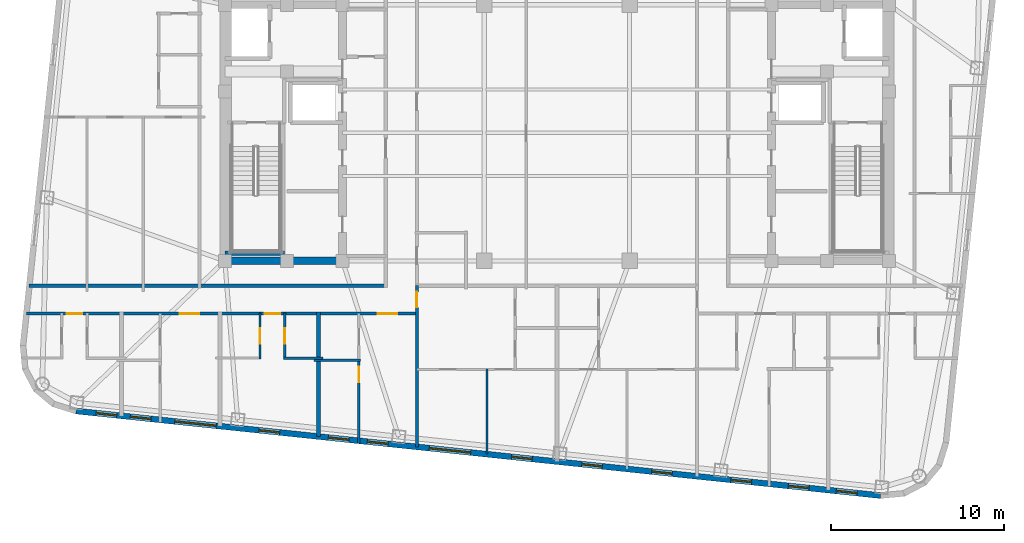
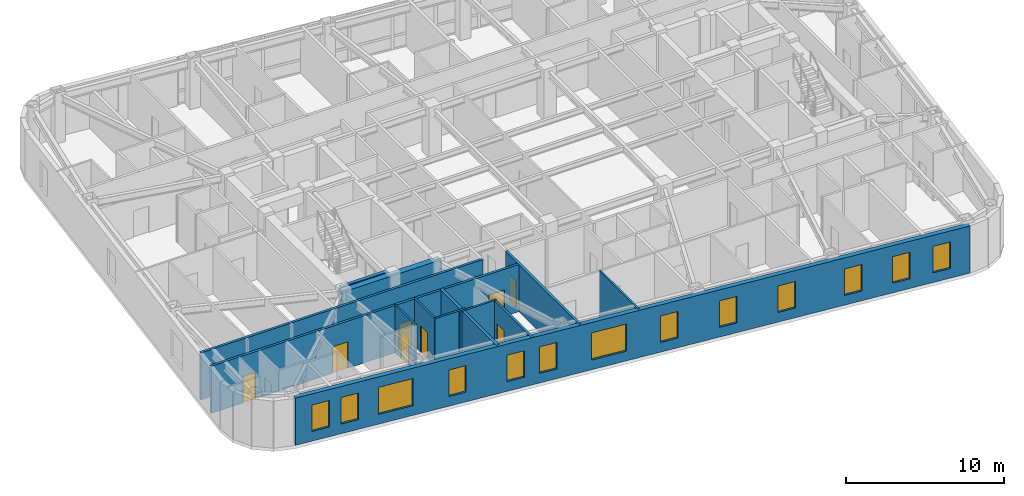
# One storey, part 8 of 15: 13 walls, 13 windows, 8 doors, 21 openings.
"""IFC4 building model written with IfcOpenShell, lengths in metres."""

from ifc_helpers import new_model, si_unit, direction, frame, frame_2d, origin, place, context, subcontext, project, spatial, rectangle, extrude, material, layer, layer_set, type_object, element, fill, save


model = new_model("IFC4")

# Units and contexts
model_context = context("Model", 3, precision=1e-05, world=origin(), true_north=direction((0.0, 1.0)))
body_context = subcontext(model_context, "Body", "Model", "MODEL_VIEW")
ifc_project = project(units=[si_unit("LENGTHUNIT", "METRE"), si_unit("AREAUNIT", "SQUARE_METRE"), si_unit("VOLUMEUNIT", "CUBIC_METRE"), si_unit("PLANEANGLEUNIT", "RADIAN"), si_unit("MASSUNIT", "GRAM", prefix="KILO")], contexts=[model_context])

# Site, building, storey
site_placement = place(None, origin())
site = spatial("IfcSite", under=ifc_project, at=site_placement, CompositionType="ELEMENT")
building_placement = place(site_placement, origin())
building = spatial("IfcBuilding", under=site, at=building_placement, Name="Voryun Gate Residences", CompositionType="ELEMENT")
storey_placement = place(building_placement, frame((0.0, 0.0, 263.89990234375)))
storey = spatial("IfcBuildingStorey", under=building, at=storey_placement, Name="L65", CompositionType="ELEMENT", Elevation=263.89990234375)

# Walls
ifc_material_1 = material(Name="Concrete C50/60", Category="concrete")
ifc_layer_1 = layer(ifc_material_1, 0.449951171875, Name="CW_CORE_450")
ifc_layer_set_1 = layer_set([ifc_layer_1], Name="Concrete C50/60")
wall_type_1 = type_object("IfcWallType", Name="CW_CORE_450", PredefinedType="SHEAR", material=ifc_layer_set_1)
wall_1_placement = place(storey_placement, frame((-19.425048828125, -7.39990234375, 0.0), z_axis=(0.0, 0.0, 1.0), x_axis=(1.0, 0.0, 0.0)))
element("IfcWall", 1, at=wall_1_placement, inside=storey, type_object=wall_type_1, Name="L65 Core shear wall CW-L65-WS", PredefinedType="SHEAR", context=body_context, shape_type="SweptSolid", body=[
    extrude(rectangle(XDim=7.25, YDim=0.449951171875, at=frame_2d((3.625, 0.0))), origin(), (0.0, 0.0, 1.0), 3.650146484375),
])
ifc_material_2 = material(Name="Gypsum acoustic fireboard")
ifc_layer_2 = layer(ifc_material_2, 0.179931640625, Name="W_CORR_RATED_180")
ifc_layer_set_2 = layer_set([ifc_layer_2], Name="Gypsum acoustic fireboard")
wall_type_2 = type_object("IfcWallType", Name="W_CORR_RATED_180", PredefinedType="PARTITIONING", material=ifc_layer_set_2)
wall_2_placement = place(storey_placement, frame((-30.5068359375, -8.840087890625, 0.0), z_axis=(0.0, 0.0, 1.0), x_axis=(1.0, 0.0, 0.0)))
element("IfcWall", 2, at=wall_2_placement, inside=storey, type_object=wall_type_2, Name="Partition wall WP-L65-CWING-WS", PredefinedType="PARTITIONING", context=body_context, shape_type="SweptSolid", body=[
    extrude(rectangle(XDim=20.626953125, YDim=0.179931640625, at=frame_2d((10.3134765625, 0.0))), origin(), (0.0, 0.0, 1.0), 3.650146484375),
])

# Wall, openings, doors
wall_3_placement = place(storey_placement, frame((-30.676025390625, -10.449951171875, 0.0), z_axis=(0.0, 0.0, 1.0), x_axis=(1.0, 0.0, 0.0)))
wall_3 = element("IfcWall", 3, at=wall_3_placement, inside=storey, type_object=wall_type_2, Name="Partition wall WP-L65-SCORR-W", PredefinedType="PARTITIONING", context=body_context, shape_type="SweptSolid", body=[
    extrude(rectangle(XDim=22.595947265625, YDim=0.179931640625, at=frame_2d((11.2978515625, 0.0))), origin(), (0.0, 0.0, 1.0), 3.650146484375),
])
opening_1_placement = place(wall_3_placement, frame((2.336181640625, 0.0, 0.0)))
opening_1 = element("IfcOpeningElement", 4, at=opening_1_placement, cuts=wall_3, Name="Opening D-INT-2", PredefinedType="OPENING", context=body_context, shape_type="SweptSolid", body=[
    extrude(rectangle(XDim=0.89990234375, YDim=2.050048828125, at=frame_2d((0.449951171875, 1.02490234375))), frame((0.0, 0.099853515625, 0.0), z_axis=(0.0, -1.0, 0.0), x_axis=(1.0, 0.0, 0.0)), (0.0, 0.0, 1.0), 0.199951171875),
])
opening_2_placement = place(wall_3_placement, frame((8.861083984375, 0.0, 0.0)))
opening_2 = element("IfcOpeningElement", 5, at=opening_2_placement, cuts=wall_3, Name="Opening D-UNIT-1", PredefinedType="OPENING", context=body_context, shape_type="SweptSolid", body=[
    extrude(rectangle(XDim=1.14990234375, YDim=2.050048828125, at=frame_2d((0.574951171875, 1.02490234375))), frame((0.0, 0.099853515625, 0.0), z_axis=(0.0, -1.0, 0.0), x_axis=(1.0, 0.0, 0.0)), (0.0, 0.0, 1.0), 0.199951171875),
])
opening_3_placement = place(wall_3_placement, frame((13.774169921875, 0.0, 0.0)))
opening_3 = element("IfcOpeningElement", 6, at=opening_3_placement, cuts=wall_3, Name="Opening D-INT-2", PredefinedType="OPENING", context=body_context, shape_type="SweptSolid", body=[
    extrude(rectangle(XDim=0.89990234375, YDim=2.050048828125, at=frame_2d((0.449951171875, 1.02490234375))), frame((0.0, 0.099853515625, 0.0), z_axis=(0.0, -1.0, 0.0), x_axis=(1.0, 0.0, 0.0)), (0.0, 0.0, 1.0), 0.199951171875),
])
opening_4_placement = place(wall_3_placement, frame((20.30615234375, 0.0, 0.0)))
opening_4 = element("IfcOpeningElement", 7, at=opening_4_placement, cuts=wall_3, Name="Opening D-UNIT-1", PredefinedType="OPENING", context=body_context, shape_type="SweptSolid", body=[
    extrude(rectangle(XDim=1.14990234375, YDim=2.050048828125, at=frame_2d((0.574951171875, 1.02490234375))), frame((0.0, 0.099853515625, 0.0), z_axis=(0.0, -1.0, 0.0), x_axis=(1.0, 0.0, 0.0)), (0.0, 0.0, 1.0), 0.199951171875),
])
ifc_material_3 = material(Name="Architectural oak veneer")
door_type_1 = type_object("IfcDoorType", Name="DR_INT_BATH_900", OperationType="NOTDEFINED", PredefinedType="DOOR", material=ifc_material_3)
door_1_placement = place(opening_1_placement, origin())
door_1 = element("IfcDoor", 8, at=door_1_placement, inside=storey, type_object=door_type_1, Name="Door DR-L65-SENT-1", OperationType="SINGLE_SWING_RIGHT", OverallHeight=2.050048828125, OverallWidth=0.89990234375, PredefinedType="DOOR", context=body_context, shape_type="SweptSolid", body=[
    extrude(rectangle(XDim=0.89990234375, YDim=2.050048828125, at=frame_2d((0.449951171875, 1.02490234375))), frame((0.0, 0.02490234375, 0.0), z_axis=(0.0, -1.0, 0.0), x_axis=(1.0, 0.0, 0.0)), (0.0, 0.0, 1.0), 0.050048828125),
])
fill(opening_1, door_1)
door_2_placement = place(opening_3_placement, origin())
door_2 = element("IfcDoor", 9, at=door_2_placement, inside=storey, type_object=door_type_1, Name="Door DR-L65-SENT-3", OperationType="SINGLE_SWING_RIGHT", OverallHeight=2.050048828125, OverallWidth=0.89990234375, PredefinedType="DOOR", context=body_context, shape_type="SweptSolid", body=[
    extrude(rectangle(XDim=0.89990234375, YDim=2.050048828125, at=frame_2d((0.449951171875, 1.02490234375))), frame((0.0, 0.02490234375, 0.0), z_axis=(0.0, -1.0, 0.0), x_axis=(1.0, 0.0, 0.0)), (0.0, 0.0, 1.0), 0.050048828125),
])
fill(opening_3, door_2)
ifc_material_4 = material(Name="Armoured timber-clad fire door", Category="wood")
door_type_2 = type_object("IfcDoorType", Name="DR_UNIT_ENTRY_1150", OperationType="NOTDEFINED", PredefinedType="DOOR", material=ifc_material_4)
door_3_placement = place(opening_2_placement, origin())
door_3 = element("IfcDoor", 10, at=door_3_placement, inside=storey, type_object=door_type_2, Name="Door DR-L65-SENT-2", OperationType="SINGLE_SWING_LEFT", OverallHeight=2.050048828125, OverallWidth=1.14990234375, PredefinedType="DOOR", context=body_context, shape_type="SweptSolid", body=[
    extrude(rectangle(XDim=1.14990234375, YDim=2.050048828125, at=frame_2d((0.574951171875, 1.02490234375))), frame((0.0, 0.02490234375, 0.0), z_axis=(0.0, -1.0, 0.0), x_axis=(1.0, 0.0, 0.0)), (0.0, 0.0, 1.0), 0.050048828125),
])
fill(opening_2, door_3)
door_4_placement = place(opening_4_placement, origin())
door_4 = element("IfcDoor", 11, at=door_4_placement, inside=storey, type_object=door_type_2, Name="Door DR-L65-SENT-4", OperationType="SINGLE_SWING_LEFT", OverallHeight=2.050048828125, OverallWidth=1.14990234375, PredefinedType="DOOR", context=body_context, shape_type="SweptSolid", body=[
    extrude(rectangle(XDim=1.14990234375, YDim=2.050048828125, at=frame_2d((0.574951171875, 1.02490234375))), frame((0.0, 0.02490234375, 0.0), z_axis=(0.0, -1.0, 0.0), x_axis=(1.0, 0.0, 0.0)), (0.0, 0.0, 1.0), 0.050048828125),
])
fill(opening_4, door_4)

# Wall, opening, door
wall_4_placement = place(storey_placement, frame((-8.10009765625, -18.154541015625, 0.0), z_axis=(0.0, 0.0, 1.0), x_axis=(0.0, 1.0, 0.0)))
wall_4 = element("IfcWall", 12, at=wall_4_placement, inside=storey, type_object=wall_type_2, Name="Partition wall WP-L65-SZV-1", PredefinedType="PARTITIONING", context=body_context, shape_type="SweptSolid", body=[
    extrude(rectangle(XDim=9.314453125, YDim=0.179931640625, at=frame_2d((4.6572265625, 0.0))), origin(), (0.0, 0.0, 1.0), 3.650146484375),
])
opening_5_placement = place(wall_4_placement, frame((8.064453125, 0.0, 0.0)))
opening_5 = element("IfcOpeningElement", 13, at=opening_5_placement, cuts=wall_4, Name="Opening D-INT-2", PredefinedType="OPENING", context=body_context, shape_type="SweptSolid", body=[
    extrude(rectangle(XDim=0.89990234375, YDim=2.050048828125, at=frame_2d((0.449951171875, 1.02490234375))), frame((0.0, 0.099853515625, 0.0), z_axis=(0.0, -1.0, 0.0), x_axis=(1.0, 0.0, 0.0)), (0.0, 0.0, 1.0), 0.199951171875),
])
door_5_placement = place(opening_5_placement, origin())
door_5 = element("IfcDoor", 14, at=door_5_placement, inside=storey, type_object=door_type_1, Name="Door DR-L65-SZENT-1", OperationType="SINGLE_SWING_LEFT", OverallHeight=2.050048828125, OverallWidth=0.89990234375, PredefinedType="DOOR", context=body_context, shape_type="SweptSolid", body=[
    extrude(rectangle(XDim=0.89990234375, YDim=2.050048828125, at=frame_2d((0.449951171875, 1.02490234375))), frame((0.0, 0.02490234375, 0.0), z_axis=(0.0, -1.0, 0.0), x_axis=(1.0, 0.0, 0.0)), (0.0, 0.0, 1.0), 0.050048828125),
])
fill(opening_5, door_5)

# Wall, openings, windows
ifc_material_5 = material(Name="Charcoal terracotta masonry", Category="masonry")
ifc_layer_3 = layer(ifc_material_5, 0.340087890625, Name="W_EXT_TERRACOTTA_340")
ifc_layer_set_3 = layer_set([ifc_layer_3], Name="Charcoal terracotta masonry")
wall_type_3 = type_object("IfcWallType", Name="W_EXT_TERRACOTTA_340", PredefinedType="ELEMENTEDWALL", material=ifc_layer_set_3)
wall_5_placement = place(storey_placement, frame((18.707763671875, -20.97216796875, 0.0), z_axis=(0.0, 0.0, 1.0), x_axis=(-0.994521888554, 0.104528528102, 0.0)))
wall_5 = element("IfcWall", 15, at=wall_5_placement, inside=storey, type_object=wall_type_3, Name="Exterior wall WEXT-L65-01", PredefinedType="ELEMENTEDWALL", context=body_context, shape_type="SweptSolid", body=[
    extrude(rectangle(XDim=46.766357421875, YDim=0.340087890625, at=frame_2d((23.38330078125, 0.0))), origin(), (0.0, 0.0, 1.0), 3.650146484375),
])
opening_6_placement = place(wall_5_placement, frame((23.833251953125, 0.0, 0.75)))
opening_6 = element("IfcOpeningElement", 16, at=opening_6_placement, cuts=wall_5, Name="Opening WN2", PredefinedType="OPENING", context=body_context, shape_type="SweptSolid", body=[
    extrude(rectangle(XDim=2.39990234375, YDim=2.10009765625, at=frame_2d((1.199951171875, 1.050048828125))), frame((0.0, 0.179931640625, 0.0), z_axis=(0.0, -1.0, 0.0), x_axis=(1.0, 0.0, 0.0)), (0.0, 0.0, 1.0), 0.360107421875),
])
opening_7_placement = place(wall_5_placement, frame((38.6220703125, 0.0, 0.75)))
opening_7 = element("IfcOpeningElement", 17, at=opening_7_placement, cuts=wall_5, Name="Opening WN2", PredefinedType="OPENING", context=body_context, shape_type="SweptSolid", body=[
    extrude(rectangle(XDim=2.39990234375, YDim=2.10009765625, at=frame_2d((1.199951171875, 1.050048828125))), frame((0.0, 0.179931640625, 0.0), z_axis=(0.0, -1.0, 0.0), x_axis=(1.0, 0.0, 0.0)), (0.0, 0.0, 1.0), 0.360107421875),
])
opening_8_placement = place(wall_5_placement, frame((44.40185546875, 0.0, 0.75)))
opening_8 = element("IfcOpeningElement", 18, at=opening_8_placement, cuts=wall_5, Name="Opening WN6", PredefinedType="OPENING", context=body_context, shape_type="SweptSolid", body=[
    extrude(rectangle(XDim=1.199951171875, YDim=2.050048828125, at=frame_2d((0.60009765625, 1.02490234375))), frame((0.0, 0.179931640625, 0.0), z_axis=(0.0, -1.0, 0.0), x_axis=(1.0, 0.0, 0.0)), (0.0, 0.0, 1.0), 0.360107421875),
])
opening_9_placement = place(wall_5_placement, frame((42.40576171875, 0.0, 0.75)))
opening_9 = element("IfcOpeningElement", 19, at=opening_9_placement, cuts=wall_5, Name="Opening WN6", PredefinedType="OPENING", context=body_context, shape_type="SweptSolid", body=[
    extrude(rectangle(XDim=1.199951171875, YDim=2.050048828125, at=frame_2d((0.60009765625, 1.02490234375))), frame((0.0, 0.179931640625, 0.0), z_axis=(0.0, -1.0, 0.0), x_axis=(1.0, 0.0, 0.0)), (0.0, 0.0, 1.0), 0.360107421875),
])
opening_10_placement = place(wall_5_placement, frame((34.93310546875, 0.0, 0.75)))
opening_10 = element("IfcOpeningElement", 20, at=opening_10_placement, cuts=wall_5, Name="Opening WN6", PredefinedType="OPENING", context=body_context, shape_type="SweptSolid", body=[
    extrude(rectangle(XDim=1.199951171875, YDim=2.050048828125, at=frame_2d((0.60009765625, 1.02490234375))), frame((0.0, 0.179931640625, 0.0), z_axis=(0.0, -1.0, 0.0), x_axis=(1.0, 0.0, 0.0)), (0.0, 0.0, 1.0), 0.360107421875),
])
opening_11_placement = place(wall_5_placement, frame((28.630859375, 0.0, 0.75)))
opening_11 = element("IfcOpeningElement", 21, at=opening_11_placement, cuts=wall_5, Name="Opening WN6", PredefinedType="OPENING", context=body_context, shape_type="SweptSolid", body=[
    extrude(rectangle(XDim=1.199951171875, YDim=2.050048828125, at=frame_2d((0.60009765625, 1.02490234375))), frame((0.0, 0.179931640625, 0.0), z_axis=(0.0, -1.0, 0.0), x_axis=(1.0, 0.0, 0.0)), (0.0, 0.0, 1.0), 0.360107421875),
])
opening_12_placement = place(wall_5_placement, frame((30.89599609375, 0.0, 0.75)))
opening_12 = element("IfcOpeningElement", 22, at=opening_12_placement, cuts=wall_5, Name="Opening WN6", PredefinedType="OPENING", context=body_context, shape_type="SweptSolid", body=[
    extrude(rectangle(XDim=1.199951171875, YDim=2.050048828125, at=frame_2d((0.60009765625, 1.02490234375))), frame((0.0, 0.179931640625, 0.0), z_axis=(0.0, -1.0, 0.0), x_axis=(1.0, 0.0, 0.0)), (0.0, 0.0, 1.0), 0.360107421875),
])
opening_13_placement = place(wall_5_placement, frame((7.501220703125, 0.0, 0.75)))
opening_13 = element("IfcOpeningElement", 23, at=opening_13_placement, cuts=wall_5, Name="Opening WN6", PredefinedType="OPENING", context=body_context, shape_type="SweptSolid", body=[
    extrude(rectangle(XDim=1.199951171875, YDim=2.050048828125, at=frame_2d((0.60009765625, 1.02490234375))), frame((0.0, 0.179931640625, 0.0), z_axis=(0.0, -1.0, 0.0), x_axis=(1.0, 0.0, 0.0)), (0.0, 0.0, 1.0), 0.360107421875),
])
opening_14_placement = place(wall_5_placement, frame((4.1591796875, 0.0, 0.75)))
opening_14 = element("IfcOpeningElement", 24, at=opening_14_placement, cuts=wall_5, Name="Opening WN6", PredefinedType="OPENING", context=body_context, shape_type="SweptSolid", body=[
    extrude(rectangle(XDim=1.199951171875, YDim=2.050048828125, at=frame_2d((0.60009765625, 1.02490234375))), frame((0.0, 0.179931640625, 0.0), z_axis=(0.0, -1.0, 0.0), x_axis=(1.0, 0.0, 0.0)), (0.0, 0.0, 1.0), 0.360107421875),
])
opening_15_placement = place(wall_5_placement, frame((1.36865234375, 0.0, 0.75)))
opening_15 = element("IfcOpeningElement", 25, at=opening_15_placement, cuts=wall_5, Name="Opening WN6", PredefinedType="OPENING", context=body_context, shape_type="SweptSolid", body=[
    extrude(rectangle(XDim=1.199951171875, YDim=2.050048828125, at=frame_2d((0.60009765625, 1.02490234375))), frame((0.0, 0.179931640625, 0.0), z_axis=(0.0, -1.0, 0.0), x_axis=(1.0, 0.0, 0.0)), (0.0, 0.0, 1.0), 0.360107421875),
])
opening_16_placement = place(wall_5_placement, frame((20.25439453125, 0.0, 0.75)))
opening_16 = element("IfcOpeningElement", 26, at=opening_16_placement, cuts=wall_5, Name="Opening WN6", PredefinedType="OPENING", context=body_context, shape_type="SweptSolid", body=[
    extrude(rectangle(XDim=1.199951171875, YDim=2.050048828125, at=frame_2d((0.60009765625, 1.02490234375))), frame((0.0, 0.179931640625, 0.0), z_axis=(0.0, -1.0, 0.0), x_axis=(1.0, 0.0, 0.0)), (0.0, 0.0, 1.0), 0.360107421875),
])
opening_17_placement = place(wall_5_placement, frame((16.172119140625, 0.0, 0.75)))
opening_17 = element("IfcOpeningElement", 27, at=opening_17_placement, cuts=wall_5, Name="Opening WN6", PredefinedType="OPENING", context=body_context, shape_type="SweptSolid", body=[
    extrude(rectangle(XDim=1.199951171875, YDim=2.050048828125, at=frame_2d((0.60009765625, 1.02490234375))), frame((0.0, 0.179931640625, 0.0), z_axis=(0.0, -1.0, 0.0), x_axis=(1.0, 0.0, 0.0)), (0.0, 0.0, 1.0), 0.360107421875),
])
opening_18_placement = place(wall_5_placement, frame((12.109619140625, 0.0, 0.75)))
opening_18 = element("IfcOpeningElement", 28, at=opening_18_placement, cuts=wall_5, Name="Opening WN6", PredefinedType="OPENING", context=body_context, shape_type="SweptSolid", body=[
    extrude(rectangle(XDim=1.199951171875, YDim=2.050048828125, at=frame_2d((0.60009765625, 1.02490234375))), frame((0.0, 0.179931640625, 0.0), z_axis=(0.0, -1.0, 0.0), x_axis=(1.0, 0.0, 0.0)), (0.0, 0.0, 1.0), 0.360107421875),
])
ifc_material_6 = material(Name="Laminated low-E glass", Category="glass")
window_type_1 = type_object("IfcWindowType", Name="WN_POD_SLOT_1200", PartitioningType="SINGLE_PANEL", PredefinedType="WINDOW", material=ifc_material_6)
window_1_placement = place(opening_8_placement, origin())
window_1 = element("IfcWindow", 29, at=window_1_placement, inside=storey, type_object=window_type_1, Name="Window WN-L65-DWFIX-04", OverallHeight=2.050048828125, OverallWidth=1.199951171875, PartitioningType="SINGLE_PANEL", PredefinedType="WINDOW", context=body_context, shape_type="SweptSolid", body=[
    extrude(rectangle(XDim=1.199951171875, YDim=2.050048828125, at=frame_2d((0.60009765625, 1.02490234375))), frame((0.0, 0.030029296875, 0.0), z_axis=(0.0, -1.0, 0.0), x_axis=(1.0, 0.0, 0.0)), (0.0, 0.0, 1.0), 0.06005859375),
])
fill(opening_8, window_1)
window_2_placement = place(opening_9_placement, origin())
window_2 = element("IfcWindow", 30, at=window_2_placement, inside=storey, type_object=window_type_1, Name="Window WN-L65-DWFIX-05", OverallHeight=2.050048828125, OverallWidth=1.199951171875, PartitioningType="SINGLE_PANEL", PredefinedType="WINDOW", context=body_context, shape_type="SweptSolid", body=[
    extrude(rectangle(XDim=1.199951171875, YDim=2.050048828125, at=frame_2d((0.60009765625, 1.02490234375))), frame((0.0, 0.030029296875, 0.0), z_axis=(0.0, -1.0, 0.0), x_axis=(1.0, 0.0, 0.0)), (0.0, 0.0, 1.0), 0.06005859375),
])
fill(opening_9, window_2)
window_3_placement = place(opening_10_placement, origin())
window_3 = element("IfcWindow", 31, at=window_3_placement, inside=storey, type_object=window_type_1, Name="Window WN-L65-DWFIX-06", OverallHeight=2.050048828125, OverallWidth=1.199951171875, PartitioningType="SINGLE_PANEL", PredefinedType="WINDOW", context=body_context, shape_type="SweptSolid", body=[
    extrude(rectangle(XDim=1.199951171875, YDim=2.050048828125, at=frame_2d((0.60009765625, 1.02490234375))), frame((0.0, 0.030029296875, 0.0), z_axis=(0.0, -1.0, 0.0), x_axis=(1.0, 0.0, 0.0)), (0.0, 0.0, 1.0), 0.06005859375),
])
fill(opening_10, window_3)
window_4_placement = place(opening_11_placement, origin())
window_4 = element("IfcWindow", 32, at=window_4_placement, inside=storey, type_object=window_type_1, Name="Window WN-L65-DWFIX-07", OverallHeight=2.050048828125, OverallWidth=1.199951171875, PartitioningType="SINGLE_PANEL", PredefinedType="WINDOW", context=body_context, shape_type="SweptSolid", body=[
    extrude(rectangle(XDim=1.199951171875, YDim=2.050048828125, at=frame_2d((0.60009765625, 1.02490234375))), frame((0.0, 0.030029296875, 0.0), z_axis=(0.0, -1.0, 0.0), x_axis=(1.0, 0.0, 0.0)), (0.0, 0.0, 1.0), 0.06005859375),
])
fill(opening_11, window_4)
window_5_placement = place(opening_12_placement, origin())
window_5 = element("IfcWindow", 33, at=window_5_placement, inside=storey, type_object=window_type_1, Name="Window WN-L65-DWFIX-08", OverallHeight=2.050048828125, OverallWidth=1.199951171875, PartitioningType="SINGLE_PANEL", PredefinedType="WINDOW", context=body_context, shape_type="SweptSolid", body=[
    extrude(rectangle(XDim=1.199951171875, YDim=2.050048828125, at=frame_2d((0.60009765625, 1.02490234375))), frame((0.0, 0.030029296875, 0.0), z_axis=(0.0, -1.0, 0.0), x_axis=(1.0, 0.0, 0.0)), (0.0, 0.0, 1.0), 0.06005859375),
])
fill(opening_12, window_5)
window_6_placement = place(opening_13_placement, origin())
window_6 = element("IfcWindow", 34, at=window_6_placement, inside=storey, type_object=window_type_1, Name="Window WN-L65-DWFIX-09", OverallHeight=2.050048828125, OverallWidth=1.199951171875, PartitioningType="SINGLE_PANEL", PredefinedType="WINDOW", context=body_context, shape_type="SweptSolid", body=[
    extrude(rectangle(XDim=1.199951171875, YDim=2.050048828125, at=frame_2d((0.60009765625, 1.02490234375))), frame((0.0, 0.030029296875, 0.0), z_axis=(0.0, -1.0, 0.0), x_axis=(1.0, 0.0, 0.0)), (0.0, 0.0, 1.0), 0.06005859375),
])
fill(opening_13, window_6)
window_7_placement = place(opening_14_placement, origin())
window_7 = element("IfcWindow", 35, at=window_7_placement, inside=storey, type_object=window_type_1, Name="Window WN-L65-DWFIX-10", OverallHeight=2.050048828125, OverallWidth=1.199951171875, PartitioningType="SINGLE_PANEL", PredefinedType="WINDOW", context=body_context, shape_type="SweptSolid", body=[
    extrude(rectangle(XDim=1.199951171875, YDim=2.050048828125, at=frame_2d((0.60009765625, 1.02490234375))), frame((0.0, 0.030029296875, 0.0), z_axis=(0.0, -1.0, 0.0), x_axis=(1.0, 0.0, 0.0)), (0.0, 0.0, 1.0), 0.06005859375),
])
fill(opening_14, window_7)
window_8_placement = place(opening_15_placement, origin())
window_8 = element("IfcWindow", 36, at=window_8_placement, inside=storey, type_object=window_type_1, Name="Window WN-L65-DWFIX-11", OverallHeight=2.050048828125, OverallWidth=1.199951171875, PartitioningType="SINGLE_PANEL", PredefinedType="WINDOW", context=body_context, shape_type="SweptSolid", body=[
    extrude(rectangle(XDim=1.199951171875, YDim=2.050048828125, at=frame_2d((0.60009765625, 1.02490234375))), frame((0.0, 0.030029296875, 0.0), z_axis=(0.0, -1.0, 0.0), x_axis=(1.0, 0.0, 0.0)), (0.0, 0.0, 1.0), 0.06005859375),
])
fill(opening_15, window_8)
window_9_placement = place(opening_16_placement, origin())
window_9 = element("IfcWindow", 37, at=window_9_placement, inside=storey, type_object=window_type_1, Name="Window WN-L65-DWFIX-12", OverallHeight=2.050048828125, OverallWidth=1.199951171875, PartitioningType="SINGLE_PANEL", PredefinedType="WINDOW", context=body_context, shape_type="SweptSolid", body=[
    extrude(rectangle(XDim=1.199951171875, YDim=2.050048828125, at=frame_2d((0.60009765625, 1.02490234375))), frame((0.0, 0.030029296875, 0.0), z_axis=(0.0, -1.0, 0.0), x_axis=(1.0, 0.0, 0.0)), (0.0, 0.0, 1.0), 0.06005859375),
])
fill(opening_16, window_9)
window_10_placement = place(opening_17_placement, origin())
window_10 = element("IfcWindow", 38, at=window_10_placement, inside=storey, type_object=window_type_1, Name="Window WN-L65-DWFIX-13", OverallHeight=2.050048828125, OverallWidth=1.199951171875, PartitioningType="SINGLE_PANEL", PredefinedType="WINDOW", context=body_context, shape_type="SweptSolid", body=[
    extrude(rectangle(XDim=1.199951171875, YDim=2.050048828125, at=frame_2d((0.60009765625, 1.02490234375))), frame((0.0, 0.030029296875, 0.0), z_axis=(0.0, -1.0, 0.0), x_axis=(1.0, 0.0, 0.0)), (0.0, 0.0, 1.0), 0.06005859375),
])
fill(opening_17, window_10)
window_11_placement = place(opening_18_placement, origin())
window_11 = element("IfcWindow", 39, at=window_11_placement, inside=storey, type_object=window_type_1, Name="Window WN-L65-DWFIX-14", OverallHeight=2.050048828125, OverallWidth=1.199951171875, PartitioningType="SINGLE_PANEL", PredefinedType="WINDOW", context=body_context, shape_type="SweptSolid", body=[
    extrude(rectangle(XDim=1.199951171875, YDim=2.050048828125, at=frame_2d((0.60009765625, 1.02490234375))), frame((0.0, 0.030029296875, 0.0), z_axis=(0.0, -1.0, 0.0), x_axis=(1.0, 0.0, 0.0)), (0.0, 0.0, 1.0), 0.06005859375),
])
fill(opening_18, window_11)
ifc_material_7 = material(Name="Laminated low-E glass", Category="glass")
window_type_2 = type_object("IfcWindowType", Name="WN_RES_WIDE_2400", PartitioningType="SINGLE_PANEL", PredefinedType="WINDOW", material=ifc_material_7)
window_12_placement = place(opening_6_placement, origin())
window_12 = element("IfcWindow", 40, at=window_12_placement, inside=storey, type_object=window_type_2, Name="Window WN-WEXT-L65-01-02", OverallHeight=2.10009765625, OverallWidth=2.39990234375, PartitioningType="SINGLE_PANEL", PredefinedType="WINDOW", context=body_context, shape_type="SweptSolid", body=[
    extrude(rectangle(XDim=2.39990234375, YDim=2.10009765625, at=frame_2d((1.199951171875, 1.050048828125))), frame((0.0, 0.030029296875, 0.0), z_axis=(0.0, -1.0, 0.0), x_axis=(1.0, 0.0, 0.0)), (0.0, 0.0, 1.0), 0.06005859375),
])
fill(opening_6, window_12)
window_13_placement = place(opening_7_placement, origin())
window_13 = element("IfcWindow", 41, at=window_13_placement, inside=storey, type_object=window_type_2, Name="Window WN-WEXT-L65-01-03", OverallHeight=2.10009765625, OverallWidth=2.39990234375, PartitioningType="SINGLE_PANEL", PredefinedType="WINDOW", context=body_context, shape_type="SweptSolid", body=[
    extrude(rectangle(XDim=2.39990234375, YDim=2.10009765625, at=frame_2d((1.199951171875, 1.050048828125))), frame((0.0, 0.030029296875, 0.0), z_axis=(0.0, -1.0, 0.0), x_axis=(1.0, 0.0, 0.0)), (0.0, 0.0, 1.0), 0.06005859375),
])
fill(opening_7, window_13)

# Walls
ifc_material_8 = material(Name="Concrete C40/50", Category="concrete")
ifc_layer_4 = layer(ifc_material_8, 0.219970703125, Name="W_PARTY_ACOUSTIC_220")
ifc_layer_set_4 = layer_set([ifc_layer_4], Name="Concrete C40/50")
wall_type_4 = type_object("IfcWallType", Name="W_PARTY_ACOUSTIC_220", PredefinedType="PARTITIONING", material=ifc_layer_set_4)
wall_6_placement = place(storey_placement, frame((-13.779052734375, -17.5576171875, 0.0), z_axis=(0.0, 0.0, 1.0), x_axis=(0.0, 1.0, 0.0)))
element("IfcWall", 42, at=wall_6_placement, inside=storey, type_object=wall_type_4, Name="Partition wall WP-L65-SPTY-3", PredefinedType="PARTITIONING", context=body_context, shape_type="SweptSolid", body=[
    extrude(rectangle(XDim=7.1875, YDim=0.219970703125, at=frame_2d((3.59375, 0.0))), origin(), (0.0, 0.0, 1.0), 3.650146484375),
])
ifc_material_9 = material(Name="Concrete C50/60", Category="concrete")
ifc_layer_5 = layer(ifc_material_9, 0.25, Name="W_SHAFT_RC250")
ifc_layer_set_5 = layer_set([ifc_layer_5], Name="Concrete C50/60")
wall_type_5 = type_object("IfcWallType", Name="W_SHAFT_RC250", PredefinedType="SOLIDWALL", material=ifc_layer_set_5)
wall_7_placement = place(storey_placement, frame((-19.199951171875, -6.965087890625, 0.0), z_axis=(0.0, 0.0, 1.0), x_axis=(1.0, 0.0, 0.0)))
element("IfcWall", 43, at=wall_7_placement, inside=storey, type_object=wall_type_5, Name="L65 Stair shaft structural wall W-STS", PredefinedType="SOLIDWALL", context=body_context, shape_type="SweptSolid", body=[
    extrude(rectangle(XDim=3.4599609375, YDim=0.25, at=frame_2d((1.72998046875, 0.0))), origin(), (0.0, 0.0, 1.0), 3.650146484375),
])

# Wall, opening, door
ifc_material_10 = material(Name="Gypsum acoustic partition")
ifc_layer_6 = layer(ifc_material_10, 0.125, Name="W_UNIT_PART_125")
ifc_layer_set_6 = layer_set([ifc_layer_6], Name="Gypsum acoustic partition")
wall_type_6 = type_object("IfcWallType", Name="W_UNIT_PART_125", PredefinedType="PARTITIONING", material=ifc_layer_set_6)
wall_8_placement = place(storey_placement, frame((-17.16796875, -13.080078125, 0.0), z_axis=(0.0, 0.0, 1.0), x_axis=(0.0, 1.0, 0.0)))
wall_8 = element("IfcWall", 44, at=wall_8_placement, inside=storey, type_object=wall_type_6, Name="Partition wall WP-L65-S3-CVK", PredefinedType="PARTITIONING", context=body_context, shape_type="SweptSolid", body=[
    extrude(rectangle(XDim=2.650146484375, YDim=0.125, at=frame_2d((1.3251953125, 0.0))), origin(), (0.0, 0.0, 1.0), 3.650146484375),
])
opening_19_placement = place(wall_8_placement, frame((0.875, 0.0, 0.0)))
opening_19 = element("IfcOpeningElement", 45, at=opening_19_placement, cuts=wall_8, Name="Opening D-INT-2", PredefinedType="OPENING", context=body_context, shape_type="SweptSolid", body=[
    extrude(rectangle(XDim=0.89990234375, YDim=2.050048828125, at=frame_2d((0.449951171875, 1.02490234375))), frame((0.0, 0.072509765625, 0.0), z_axis=(0.0, -1.0, 0.0), x_axis=(1.0, 0.0, 0.0)), (0.0, 0.0, 1.0), 0.14501953125),
])
door_6_placement = place(opening_19_placement, origin())
door_6 = element("IfcDoor", 46, at=door_6_placement, inside=storey, type_object=door_type_1, Name="Door DR-L65-S3-DK", OperationType="SINGLE_SWING_LEFT", OverallHeight=2.050048828125, OverallWidth=0.89990234375, PredefinedType="DOOR", context=body_context, shape_type="SweptSolid", body=[
    extrude(rectangle(XDim=0.89990234375, YDim=2.050048828125, at=frame_2d((0.449951171875, 1.02490234375))), frame((0.0, 0.02490234375, 0.0), z_axis=(0.0, -1.0, 0.0), x_axis=(1.0, 0.0, 0.0)), (0.0, 0.0, 1.0), 0.050048828125),
])
fill(opening_19, door_6)

# Wall
wall_9_placement = place(storey_placement, frame((-4.050048828125, -18.580078125, 0.0), z_axis=(0.0, 0.0, 1.0), x_axis=(0.0, 1.0, 0.0)))
element("IfcWall", 47, at=wall_9_placement, inside=storey, type_object=wall_type_6, Name="Partition wall WP-L65-SC1-VBD", PredefinedType="PARTITIONING", context=body_context, shape_type="SweptSolid", body=[
    extrude(rectangle(XDim=4.940185546875, YDim=0.125, at=frame_2d((2.47021484375, 0.0))), origin(), (0.0, 0.0, 1.0), 3.650146484375),
])

# Wall, opening, door
ifc_material_11 = material(Name="Gypsum moisture-resistant partition")
ifc_layer_7 = layer(ifc_material_11, 0.14990234375, Name="W_WET_PLUMB_150")
ifc_layer_set_7 = layer_set([ifc_layer_7], Name="Gypsum moisture-resistant partition")
wall_type_7 = type_object("IfcWallType", Name="W_WET_PLUMB_150", PredefinedType="PLUMBINGWALL", material=ifc_layer_set_7)
wall_10_placement = place(storey_placement, frame((-15.736083984375, -13.080078125, 0.0), z_axis=(0.0, 0.0, 1.0), x_axis=(0.0, 1.0, 0.0)))
wall_10 = element("IfcWall", 48, at=wall_10_placement, inside=storey, type_object=wall_type_7, Name="Partition wall WP-L65-S3-CVB", PredefinedType="PLUMBINGWALL", context=body_context, shape_type="SweptSolid", body=[
    extrude(rectangle(XDim=2.650146484375, YDim=0.14990234375, at=frame_2d((1.3251953125, 0.0))), origin(), (0.0, 0.0, 1.0), 3.650146484375),
])
opening_20_placement = place(wall_10_placement, frame((0.875, 0.0, 0.0)))
opening_20 = element("IfcOpeningElement", 49, at=opening_20_placement, cuts=wall_10, Name="Opening D-INT-2", PredefinedType="OPENING", context=body_context, shape_type="SweptSolid", body=[
    extrude(rectangle(XDim=0.89990234375, YDim=2.050048828125, at=frame_2d((0.449951171875, 1.02490234375))), frame((0.0, 0.0849609375, 0.0), z_axis=(0.0, -1.0, 0.0), x_axis=(1.0, 0.0, 0.0)), (0.0, 0.0, 1.0), 0.169921875),
])
door_7_placement = place(opening_20_placement, origin())
door_7 = element("IfcDoor", 50, at=door_7_placement, inside=storey, type_object=door_type_1, Name="Door DR-L65-S3-DB", OperationType="SINGLE_SWING_RIGHT", OverallHeight=2.050048828125, OverallWidth=0.89990234375, PredefinedType="DOOR", context=body_context, shape_type="SweptSolid", body=[
    extrude(rectangle(XDim=0.89990234375, YDim=2.050048828125, at=frame_2d((0.449951171875, 1.02490234375))), frame((0.0, 0.02490234375, 0.0), z_axis=(0.0, -1.0, 0.0), x_axis=(1.0, 0.0, 0.0)), (0.0, 0.0, 1.0), 0.050048828125),
])
fill(opening_20, door_7)

# Walls
wall_11_placement = place(storey_placement, frame((-15.7958984375, -13.02001953125, 0.0), z_axis=(0.0, 0.0, 1.0), x_axis=(1.0, 0.0, 0.0)))
element("IfcWall", 51, at=wall_11_placement, inside=storey, type_object=wall_type_7, Name="Partition wall WP-L65-S3-CHB", PredefinedType="PLUMBINGWALL", context=body_context, shape_type="SweptSolid", body=[
    extrude(rectangle(XDim=2.27685546875, YDim=0.14990234375, at=frame_2d((1.138427734375, 0.0))), origin(), (0.0, 0.0, 1.0), 3.650146484375),
])
wall_12_placement = place(storey_placement, frame((-14.0390625, -13.14990234375, 0.0), z_axis=(0.0, 0.0, 1.0), x_axis=(1.0, 0.0, 0.0)))
element("IfcWall", 52, at=wall_12_placement, inside=storey, type_object=wall_type_7, Name="Partition wall WP-L65-S4-SKB", PredefinedType="PLUMBINGWALL", context=body_context, shape_type="SweptSolid", body=[
    extrude(rectangle(XDim=2.671142578125, YDim=0.14990234375, at=frame_2d((1.33544921875, 0.0))), origin(), (0.0, 0.0, 1.0), 3.650146484375),
])

# Wall, opening, door
wall_13_placement = place(storey_placement, frame((-11.447998046875, -17.95361328125, 0.0), z_axis=(0.0, 0.0, 1.0), x_axis=(0.0, 1.0, 0.0)))
wall_13 = element("IfcWall", 53, at=wall_13_placement, inside=storey, type_object=wall_type_7, Name="Partition wall WP-L65-S4-SVT1", PredefinedType="PLUMBINGWALL", context=body_context, shape_type="SweptSolid", body=[
    extrude(rectangle(XDim=4.843505859375, YDim=0.14990234375, at=frame_2d((2.421875, 0.0))), origin(), (0.0, 0.0, 1.0), 3.650146484375),
])
opening_21_placement = place(wall_13_placement, frame((3.521728515625, 0.0, 0.0)))
opening_21 = element("IfcOpeningElement", 54, at=opening_21_placement, cuts=wall_13, Name="Opening D-INT-2", PredefinedType="OPENING", context=body_context, shape_type="SweptSolid", body=[
    extrude(rectangle(XDim=0.89990234375, YDim=2.050048828125, at=frame_2d((0.449951171875, 1.02490234375))), frame((0.0, 0.0849609375, 0.0), z_axis=(0.0, -1.0, 0.0), x_axis=(1.0, 0.0, 0.0)), (0.0, 0.0, 1.0), 0.169921875),
])
door_8_placement = place(opening_21_placement, origin())
door_8 = element("IfcDoor", 55, at=door_8_placement, inside=storey, type_object=door_type_1, Name="Door DR-L65-S4-DK", OperationType="SINGLE_SWING_LEFT", OverallHeight=2.050048828125, OverallWidth=0.89990234375, PredefinedType="DOOR", context=body_context, shape_type="SweptSolid", body=[
    extrude(rectangle(XDim=0.89990234375, YDim=2.050048828125, at=frame_2d((0.449951171875, 1.02490234375))), frame((0.0, 0.02490234375, 0.0), z_axis=(0.0, -1.0, 0.0), x_axis=(1.0, 0.0, 0.0)), (0.0, 0.0, 1.0), 0.050048828125),
])
fill(opening_21, door_8)

save(model, "model.ifc")
